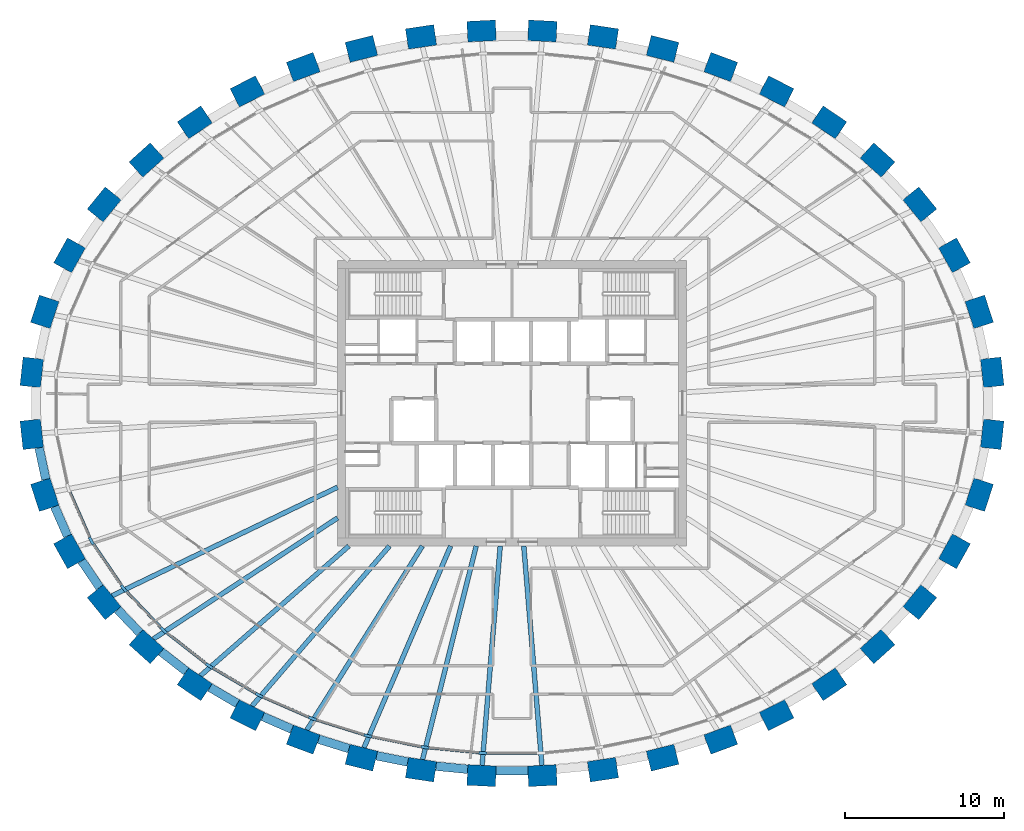
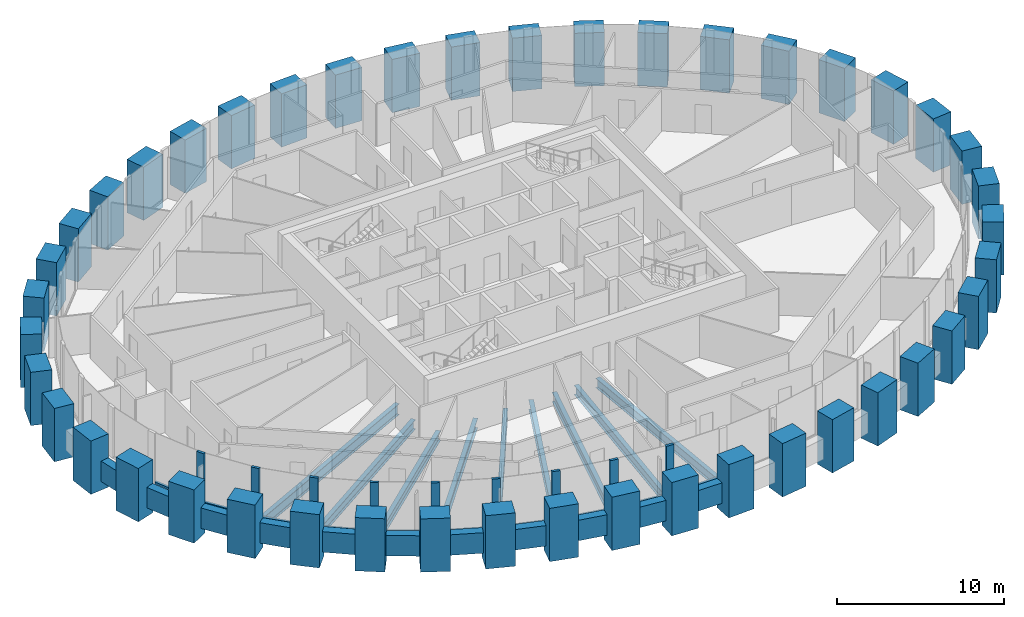
# One storey, part 1 of 12: 44 columns, 20 beams, 19 members, 1 element without a shape of its own.
"""IFC4 building model written with IfcOpenShell, lengths in metres."""

from ifc_helpers import new_model, si_unit, direction, frame, origin, origin_2d, place, context, subcontext, project, spatial, rectangle, i_section, extrude, source, transform, mapped, material, material_profile, profile_set, type_object, element, aggregate, save


model = new_model("IFC4")

# Units and contexts
model_context = context("Model", 3, precision=1e-05, world=origin(), true_north=direction((0.0, 1.0)))
body_context = subcontext(model_context, "Body", "Model", "MODEL_VIEW")
ifc_project = project(units=[si_unit("LENGTHUNIT", "METRE"), si_unit("AREAUNIT", "SQUARE_METRE"), si_unit("VOLUMEUNIT", "CUBIC_METRE"), si_unit("PLANEANGLEUNIT", "RADIAN"), si_unit("MASSUNIT", "GRAM", prefix="KILO")], contexts=[model_context])

# Site, building, storey
site_placement = place(None, origin())
site = spatial("IfcSite", under=ifc_project, at=site_placement, CompositionType="ELEMENT")
building_placement = place(site_placement, origin())
building = spatial("IfcBuilding", under=site, at=building_placement, Name="Embergate Tower", CompositionType="ELEMENT")
storey_placement = place(building_placement, frame((0.0, 0.0, 313.0)))
storey = spatial("IfcBuildingStorey", under=building, at=storey_placement, Name="L73", CompositionType="ELEMENT", Elevation=313.0)

# Columns
ifc_material_1 = material(Name="Concrete C50", Category="concrete")
ifc_material_profile_1 = material_profile(ifc_material_1, rectangle(XDim=1.300048828125, YDim=1.800048828125, at=origin_2d()), Name="RC 1300x1800")
ifc_profile_set_1 = profile_set([ifc_material_profile_1], Name="Concrete C50")
column_type = type_object("IfcColumnType", Name="Ring column RC 1300x1800 C50", PredefinedType="COLUMN", material=ifc_profile_set_1)
shared_shape_1 = source(origin(), body_context, "Body", "SweptSolid", [
    extrude(rectangle(XDim=1.300048828125, YDim=1.800048828125, at=origin_2d()), origin(), (0.0, 0.0, 1.0), 3.89990234375),
])
for number, where, z_axis, x_axis, name in (
    (1, (30.285888671875, 1.951904296875, -1.39990234375), (0.0, 0.0, 1.0), (0.99428589498, 0.106749983816, 0.0), "COL-L73-00"),
    (2, (29.466064453125, 5.76611328125, -1.39990234375), (0.0, 0.0, 1.0), (0.950754033697, 0.309946394413, 0.0), "COL-L73-01"),
    (3, (27.903076171875, 9.3310546875, -1.39990234375), (0.0, 0.0, 1.0), (0.873500465855, 0.486823311018, 0.0), "COL-L73-02"),
    (4, (25.719970703125, 12.541015625, -1.39990234375), (0.0, 0.0, 1.0), (0.775925311702, 0.630824786022, 0.0), "COL-L73-03"),
    (5, (23.050048828125, 15.342041015625, -1.39990234375), (0.0, 0.0, 1.0), (0.669221393633, 0.743063070206, 0.0), "COL-L73-04"),
    (6, (20.007080078125, 17.717041015625, -1.39990234375), (0.0, 0.0, 1.0), (0.560393279442, 0.828226643109, 0.0), "COL-L73-05"),
    (7, (16.68701171875, 19.6689453125, -1.39990234375), (0.0, 0.0, 1.0), (0.453010512651, 0.891505174089, 0.0), "COL-L73-06"),
    (8, (13.1640625, 21.208984375, -1.39990234375), (0.0, 0.0, 1.0), (0.348343015724, 0.93736713373, 0.0), "COL-L73-07"),
    (9, (9.4970703125, 22.35107421875, -1.39990234375), (0.0, 0.0, 1.0), (0.24650851817, 0.969140624713, 0.0), "COL-L73-08"),
    (10, (5.735107421875, 23.10595703125, -1.39990234375), (0.0, 0.0, 1.0), (0.146929011949, 0.989147039346, 0.0), "COL-L73-09"),
    (11, (1.9169921875, 23.48095703125, -1.39990234375), (0.0, 0.0, 1.0), (0.048814904854, 0.998807841912, 0.0), "COL-L73-10"),
    (12, (-1.9169921875, 23.48095703125, -1.39990234375), (0.0, 0.0, 1.0), (-0.048814904854, 0.998807841912, 0.0), "COL-L73-11"),
    (13, (-5.735107421875, 23.10595703125, -1.39990234375), (0.0, 0.0, 1.0), (-0.146929011949, 0.989147039346, 0.0), "COL-L73-12"),
    (14, (-9.4970703125, 22.35107421875, -1.39990234375), (0.0, 0.0, 1.0), (-0.24650851817, 0.969140624713, 0.0), "COL-L73-13"),
    (15, (-13.1640625, 21.208984375, -1.39990234375), (0.0, 0.0, 1.0), (-0.348343015724, 0.93736713373, 0.0), "COL-L73-14"),
    (16, (-16.68701171875, 19.6689453125, -1.39990234375), (0.0, 0.0, 1.0), (-0.453010512651, 0.891505174089, 0.0), "COL-L73-15"),
    (17, (-20.007080078125, 17.717041015625, -1.39990234375), (0.0, 0.0, 1.0), (-0.560393279442, 0.828226643109, 0.0), "COL-L73-16"),
    (18, (-23.050048828125, 15.342041015625, -1.39990234375), (0.0, 0.0, 1.0), (-0.669221393633, 0.743063070206, 0.0), "COL-L73-17"),
    (19, (-25.719970703125, 12.541015625, -1.39990234375), (0.0, 0.0, 1.0), (-0.775925311702, 0.630824786022, 0.0), "COL-L73-18"),
    (20, (-27.903076171875, 9.3310546875, -1.39990234375), (0.0, 0.0, 1.0), (-0.873500465855, 0.486823311018, 0.0), "COL-L73-19"),
    (21, (-29.466064453125, 5.76611328125, -1.39990234375), (0.0, 0.0, 1.0), (-0.950754033697, 0.309946394413, 0.0), "COL-L73-20"),
    (22, (-30.285888671875, 1.951904296875, -1.39990234375), (0.0, 0.0, 1.0), (-0.99428589498, 0.106749983816, 0.0), "COL-L73-21"),
    (23, (-30.285888671875, -1.951904296875, -1.39990234375), (0.0, 0.0, 1.0), (-0.99428589498, -0.106749983816, 0.0), "COL-L73-22"),
    (24, (-29.466064453125, -5.76611328125, -1.39990234375), (0.0, 0.0, 1.0), (-0.950754033697, -0.309946394413, 0.0), "COL-L73-23"),
    (25, (-27.903076171875, -9.3310546875, -1.39990234375), (0.0, 0.0, 1.0), (-0.873500465855, -0.486823311018, 0.0), "COL-L73-24"),
    (26, (-25.719970703125, -12.541015625, -1.39990234375), (0.0, 0.0, 1.0), (-0.775925311702, -0.630824786022, 0.0), "COL-L73-25"),
    (27, (-23.050048828125, -15.342041015625, -1.39990234375), (0.0, 0.0, 1.0), (-0.669221393633, -0.743063070206, 0.0), "COL-L73-26"),
    (28, (-20.007080078125, -17.717041015625, -1.39990234375), (0.0, 0.0, 1.0), (-0.560393279442, -0.828226643109, 0.0), "COL-L73-27"),
    (29, (-16.68701171875, -19.6689453125, -1.39990234375), (0.0, 0.0, 1.0), (-0.453010512651, -0.891505174089, 0.0), "COL-L73-28"),
    (30, (-13.1640625, -21.208984375, -1.39990234375), (0.0, 0.0, 1.0), (-0.348343015724, -0.93736713373, 0.0), "COL-L73-29"),
    (31, (-9.4970703125, -22.35107421875, -1.39990234375), (0.0, 0.0, 1.0), (-0.24650851817, -0.969140624713, 0.0), "COL-L73-30"),
    (32, (-5.735107421875, -23.10595703125, -1.39990234375), (0.0, 0.0, 1.0), (-0.146929011949, -0.989147039346, 0.0), "COL-L73-31"),
    (33, (-1.9169921875, -23.48095703125, -1.39990234375), (0.0, 0.0, 1.0), (-0.048814904854, -0.998807841912, 0.0), "COL-L73-32"),
    (34, (1.9169921875, -23.48095703125, -1.39990234375), (0.0, 0.0, 1.0), (0.048814904854, -0.998807841912, 0.0), "COL-L73-33"),
    (35, (5.735107421875, -23.10595703125, -1.39990234375), (0.0, 0.0, 1.0), (0.146929011949, -0.989147039346, 0.0), "COL-L73-34"),
    (36, (9.4970703125, -22.35107421875, -1.39990234375), (0.0, 0.0, 1.0), (0.24650851817, -0.969140624713, 0.0), "COL-L73-35"),
    (37, (13.1640625, -21.208984375, -1.39990234375), (0.0, 0.0, 1.0), (0.348343015724, -0.93736713373, 0.0), "COL-L73-36"),
    (38, (16.68701171875, -19.6689453125, -1.39990234375), (0.0, 0.0, 1.0), (0.453010512651, -0.891505174089, 0.0), "COL-L73-37"),
    (39, (20.007080078125, -17.717041015625, -1.39990234375), (0.0, 0.0, 1.0), (0.560393279442, -0.828226643109, 0.0), "COL-L73-38"),
    (40, (23.050048828125, -15.342041015625, -1.39990234375), (0.0, 0.0, 1.0), (0.669221393633, -0.743063070206, 0.0), "COL-L73-39"),
    (41, (25.719970703125, -12.541015625, -1.39990234375), (0.0, 0.0, 1.0), (0.775925311702, -0.630824786022, 0.0), "COL-L73-40"),
    (42, (27.903076171875, -9.3310546875, -1.39990234375), (0.0, 0.0, 1.0), (0.873500465855, -0.486823311018, 0.0), "COL-L73-41"),
    (43, (29.466064453125, -5.76611328125, -1.39990234375), (0.0, 0.0, 1.0), (0.950754033697, -0.309946394413, 0.0), "COL-L73-42"),
    (44, (30.285888671875, -1.951904296875, -1.39990234375), (0.0, 0.0, 1.0), (0.99428589498, -0.106749983816, 0.0), "COL-L73-43"),
):
    element("IfcColumn", number, at=place(storey_placement, frame(where, z_axis=z_axis, x_axis=x_axis)), inside=storey, type_object=column_type, Name=name, PredefinedType="COLUMN", context=body_context, shape_type="MappedRepresentation", body=[
        mapped(shared_shape_1, transform((0.0, 0.0, 0.0))),
    ])

# Beams
ifc_material_profile_2 = material_profile(ifc_material_1, rectangle(XDim=0.550048828125, YDim=1.5, at=origin_2d()), Name="RC 550x1500")
ifc_profile_set_2 = profile_set([ifc_material_profile_2], Name="Concrete C50")
beam_type_1 = type_object("IfcBeamType", Name="Spandrel beam RC 550x1500 C50", PredefinedType="BEAM", material=ifc_profile_set_2)
shared_shape_2 = source(origin(), body_context, "Body", "SweptSolid", [
    extrude(rectangle(XDim=0.550048828125, YDim=1.5, at=origin_2d()), origin(), (0.0, 0.0, 1.0), 2.034423828125),
])
beam_1_placement = place(storey_placement, frame((-29.823974609375, -2.80810546875, 0.0), z_axis=(0.209897885741, -0.977723313398, 0.0), x_axis=(0.977723313398, 0.209897885741, 0.0)))
element("IfcBeam", 45, at=beam_1_placement, inside=storey, type_object=beam_type_1, Name="SPN-L73-22", PredefinedType="BEAM", context=body_context, shape_type="MappedRepresentation", body=[
    mapped(shared_shape_2, transform((0.0, 0.0, 0.0))),
])
shared_shape_3 = source(origin(), body_context, "Body", "SweptSolid", [
    extrude(rectangle(XDim=0.550048828125, YDim=1.5, at=origin_2d()), origin(), (0.0, 0.0, 1.0), 2.03125),
])
beam_2_placement = place(storey_placement, frame((-28.843017578125, -6.510009765625, 0.0), z_axis=(0.401695096335, -0.915773470669, 0.0), x_axis=(0.915773470669, 0.401695096335, 0.0)))
element("IfcBeam", 46, at=beam_2_placement, inside=storey, type_object=beam_type_1, Name="SPN-L73-23", PredefinedType="BEAM", context=body_context, shape_type="MappedRepresentation", body=[
    mapped(shared_shape_3, transform((0.0, 0.0, 0.0))),
])
shared_shape_4 = source(origin(), body_context, "Body", "SweptSolid", [
    extrude(rectangle(XDim=0.550048828125, YDim=1.5, at=origin_2d()), origin(), (0.0, 0.0, 1.0), 2.02392578125),
])
beam_3_placement = place(storey_placement, frame((-27.137939453125, -9.93505859375, 0.0), z_axis=(0.562220937061, -0.826987072408, 0.0), x_axis=(0.826987072408, 0.562220937061, 0.0)))
element("IfcBeam", 47, at=beam_3_placement, inside=storey, type_object=beam_type_1, Name="SPN-L73-24", PredefinedType="BEAM", context=body_context, shape_type="MappedRepresentation", body=[
    mapped(shared_shape_4, transform((0.0, 0.0, 0.0))),
])
shared_shape_5 = source(origin(), body_context, "Body", "SweptSolid", [
    extrude(rectangle(XDim=0.550048828125, YDim=1.5, at=origin_2d()), origin(), (0.0, 0.0, 1.0), 2.0185546875),
])
beam_4_placement = place(storey_placement, frame((-24.868896484375, -13.009033203125, 0.0), z_axis=(0.690032605045, -0.723778283714, 0.0), x_axis=(0.723778283714, 0.690032605045, 0.0)))
element("IfcBeam", 48, at=beam_4_placement, inside=storey, type_object=beam_type_1, Name="SPN-L73-25", PredefinedType="BEAM", context=body_context, shape_type="MappedRepresentation", body=[
    mapped(shared_shape_5, transform((0.0, 0.0, 0.0))),
])
shared_shape_6 = source(origin(), body_context, "Body", "SweptSolid", [
    extrude(rectangle(XDim=0.550048828125, YDim=1.5, at=origin_2d()), origin(), (0.0, 0.0, 1.0), 2.011962890625),
])
beam_5_placement = place(storey_placement, frame((-22.1279296875, -15.6640625, 0.0), z_axis=(0.788259795351, -0.615342583471, 0.0), x_axis=(0.615342583471, 0.788259795351, 0.0)))
element("IfcBeam", 49, at=beam_5_placement, inside=storey, type_object=beam_type_1, Name="SPN-L73-26", PredefinedType="BEAM", context=body_context, shape_type="MappedRepresentation", body=[
    mapped(shared_shape_6, transform((0.0, 0.0, 0.0))),
])
shared_shape_7 = source(origin(), body_context, "Body", "SweptSolid", [
    extrude(rectangle(XDim=0.550048828125, YDim=1.5, at=origin_2d()), origin(), (0.0, 0.0, 1.0), 2.008056640625),
])
beam_6_placement = place(storey_placement, frame((-19.052978515625, -17.9140625, 0.0), z_axis=(0.86201859197, -0.506876658663, 0.0), x_axis=(0.506876658663, 0.86201859197, 0.0)))
element("IfcBeam", 50, at=beam_6_placement, inside=storey, type_object=beam_type_1, Name="SPN-L73-27", PredefinedType="BEAM", context=body_context, shape_type="MappedRepresentation", body=[
    mapped(shared_shape_7, transform((0.0, 0.0, 0.0))),
])
shared_shape_8 = source(origin(), body_context, "Body", "SweptSolid", [
    extrude(rectangle(XDim=0.550048828125, YDim=1.5, at=origin_2d()), origin(), (0.0, 0.0, 1.0), 2.0068359375),
])
beam_7_placement = place(storey_placement, frame((-15.718994140625, -19.75, 0.0), z_axis=(0.916455842534, -0.400135837793, 0.0), x_axis=(0.400135837793, 0.916455842534, 0.0)))
element("IfcBeam", 51, at=beam_7_placement, inside=storey, type_object=beam_type_1, Name="SPN-L73-28", PredefinedType="BEAM", context=body_context, shape_type="MappedRepresentation", body=[
    mapped(shared_shape_8, transform((0.0, 0.0, 0.0))),
])
shared_shape_9 = source(origin(), body_context, "Body", "SweptSolid", [
    extrude(rectangle(XDim=0.550048828125, YDim=1.5, at=origin_2d()), origin(), (0.0, 0.0, 1.0), 2.0048828125),
])
beam_8_placement = place(storey_placement, frame((-12.194091796875, -21.181884765625, 0.0), z_axis=(0.954756929567, -0.297387298725, 0.0), x_axis=(0.297387298725, 0.954756929567, 0.0)))
element("IfcBeam", 52, at=beam_8_placement, inside=storey, type_object=beam_type_1, Name="SPN-L73-29", PredefinedType="BEAM", context=body_context, shape_type="MappedRepresentation", body=[
    mapped(shared_shape_9, transform((0.0, 0.0, 0.0))),
])
shared_shape_10 = source(origin(), body_context, "Body", "SweptSolid", [
    extrude(rectangle(XDim=0.550048828125, YDim=1.5, at=origin_2d()), origin(), (0.0, 0.0, 1.0), 2.003173828125),
])
beam_9_placement = place(storey_placement, frame((-8.535888671875, -22.222900390625, 0.0), z_axis=(0.980364457571, -0.197194143753, 0.0), x_axis=(0.197194143753, 0.980364457571, 0.0)))
element("IfcBeam", 53, at=beam_9_placement, inside=storey, type_object=beam_type_1, Name="SPN-L73-30", PredefinedType="BEAM", context=body_context, shape_type="MappedRepresentation", body=[
    mapped(shared_shape_10, transform((0.0, 0.0, 0.0))),
])
shared_shape_11 = source(origin(), body_context, "Body", "SweptSolid", [
    extrude(rectangle(XDim=0.550048828125, YDim=1.5, at=origin_2d()), origin(), (0.0, 0.0, 1.0), 2.00341796875),
])
beam_10_placement = place(storey_placement, frame((-4.7919921875, -22.883056640625, 0.0), z_axis=(0.995201107697, -0.097850678276, 0.0), x_axis=(0.097850678276, 0.995201107697, 0.0)))
element("IfcBeam", 54, at=beam_10_placement, inside=storey, type_object=beam_type_1, Name="SPN-L73-31", PredefinedType="BEAM", context=body_context, shape_type="MappedRepresentation", body=[
    mapped(shared_shape_11, transform((0.0, 0.0, 0.0))),
])
shared_shape_12 = source(origin(), body_context, "Body", "SweptSolid", [
    extrude(rectangle(XDim=0.550048828125, YDim=1.5, at=origin_2d()), origin(), (0.0, 0.0, 1.0), 2.001953125),
])
beam_11_placement = place(storey_placement, frame((-1.0009765625, -23.1669921875, 0.0), z_axis=(1.0, 0.0, 0.0), x_axis=(0.0, 1.0, 0.0)))
element("IfcBeam", 55, at=beam_11_placement, inside=storey, type_object=beam_type_1, Name="SPN-L73-32", PredefinedType="BEAM", context=body_context, shape_type="MappedRepresentation", body=[
    mapped(shared_shape_12, transform((0.0, 0.0, 0.0))),
])
ifc_material_2 = material(Name="Steel Q355B", Category="steel")
ifc_material_profile_3 = material_profile(ifc_material_2, i_section(OverallWidth=0.300048828125, OverallDepth=0.800048828125, WebThickness=0.013916015625, FlangeThickness=0.02587890625, FilletRadius=0.028076171875, at=origin_2d()), Name="HN 800x300x14x26")
ifc_profile_set_3 = profile_set([ifc_material_profile_3], Name="Steel Q355 grade B")
beam_type_2 = type_object("IfcBeamType", Name="Radial girder HN 800x300x14x26", PredefinedType="BEAM", material=ifc_profile_set_3)
shared_shape_13 = source(origin(), body_context, "Body", "SweptSolid", [
    extrude(i_section(OverallWidth=0.300048828125, OverallDepth=0.800048828125, WebThickness=0.013916015625, FlangeThickness=0.02587890625, FilletRadius=0.028076171875, at=origin_2d()), origin(), (0.0, 0.0, 1.0), 15.775634765625),
])
beam_12_placement = place(storey_placement, frame((-25.216064453125, -12.131103515625, -0.60009765625), z_axis=(0.901141870193, 0.433524312795, 0.0), x_axis=(-0.433524312795, 0.901141870193, 0.0)))
element("IfcBeam", 56, at=beam_12_placement, inside=storey, type_object=beam_type_2, Name="GIR-L73-25", PredefinedType="BEAM", context=body_context, shape_type="MappedRepresentation", body=[
    mapped(shared_shape_13, transform((0.0, 0.0, 0.0))),
])
ifc_material_profile_4 = material_profile(ifc_material_2, i_section(OverallWidth=0.300048828125, OverallDepth=0.699951171875, WebThickness=0.012939453125, FlangeThickness=0.02392578125, FilletRadius=0.01806640625, at=origin_2d()), Name="HN 700x300x13x24")
ifc_profile_set_4 = profile_set([ifc_material_profile_4], Name="Steel Q355 grade B")
beam_type_3 = type_object("IfcBeamType", Name="Radial girder HN 700x300x13x24", PredefinedType="BEAM", material=ifc_profile_set_4)
shared_shape_14 = source(origin(), body_context, "Body", "SweptSolid", [
    extrude(i_section(OverallWidth=0.300048828125, OverallDepth=0.699951171875, WebThickness=0.012939453125, FlangeThickness=0.02392578125, FilletRadius=0.01806640625, at=origin_2d()), origin(), (0.0, 0.0, 1.0), 13.89794921875),
])
beam_13_placement = place(storey_placement, frame((-22.614990234375, -14.85888671875, -0.550048828125), z_axis=(0.835734272266, 0.549134069386, 0.0), x_axis=(-0.549134069386, 0.835734272266, 0.0)))
element("IfcBeam", 57, at=beam_13_placement, inside=storey, type_object=beam_type_3, Name="GIR-L73-26", PredefinedType="BEAM", context=body_context, shape_type="MappedRepresentation", body=[
    mapped(shared_shape_14, transform((0.0, 0.0, 0.0))),
])
shared_shape_15 = source(origin(), body_context, "Body", "SweptSolid", [
    extrude(i_section(OverallWidth=0.300048828125, OverallDepth=0.699951171875, WebThickness=0.012939453125, FlangeThickness=0.02392578125, FilletRadius=0.01806640625, at=origin_2d()), origin(), (0.0, 0.0, 1.0), 12.424072265625),
])
beam_14_placement = place(storey_placement, frame((-19.64306640625, -17.178955078125, -0.550048828125), z_axis=(0.752739789834, 0.658318166847, 0.0), x_axis=(-0.658318166847, 0.752739789834, 0.0)))
element("IfcBeam", 58, at=beam_14_placement, inside=storey, type_object=beam_type_3, Name="GIR-L73-27", PredefinedType="BEAM", context=body_context, shape_type="MappedRepresentation", body=[
    mapped(shared_shape_15, transform((0.0, 0.0, 0.0))),
])
shared_shape_16 = source(origin(), body_context, "Body", "SweptSolid", [
    extrude(i_section(OverallWidth=0.300048828125, OverallDepth=0.699951171875, WebThickness=0.012939453125, FlangeThickness=0.02392578125, FilletRadius=0.01806640625, at=origin_2d()), origin(), (0.0, 0.0, 1.0), 13.300048828125),
])
beam_15_placement = place(storey_placement, frame((-16.39306640625, -19.090087890625, -0.550048828125), z_axis=(0.651501585067, 0.758647272885, 0.0), x_axis=(-0.758647272885, 0.651501585067, 0.0)))
element("IfcBeam", 59, at=beam_15_placement, inside=storey, type_object=beam_type_3, Name="GIR-L73-28", PredefinedType="BEAM", context=body_context, shape_type="MappedRepresentation", body=[
    mapped(shared_shape_16, transform((0.0, 0.0, 0.0))),
])
shared_shape_17 = source(origin(), body_context, "Body", "SweptSolid", [
    extrude(i_section(OverallWidth=0.300048828125, OverallDepth=0.699951171875, WebThickness=0.012939453125, FlangeThickness=0.02392578125, FilletRadius=0.01806640625, at=origin_2d()), origin(), (0.0, 0.0, 1.0), 13.698486328125),
])
beam_16_placement = place(storey_placement, frame((-12.93798828125, -20.60009765625, -0.550048828125), z_axis=(0.5318784163, 0.846820730895, 0.0), x_axis=(-0.846820730895, 0.5318784163, 0.0)))
element("IfcBeam", 60, at=beam_16_placement, inside=storey, type_object=beam_type_3, Name="GIR-L73-29", PredefinedType="BEAM", context=body_context, shape_type="MappedRepresentation", body=[
    mapped(shared_shape_17, transform((0.0, 0.0, 0.0))),
])
shared_shape_18 = source(origin(), body_context, "Body", "SweptSolid", [
    extrude(i_section(OverallWidth=0.300048828125, OverallDepth=0.699951171875, WebThickness=0.012939453125, FlangeThickness=0.02392578125, FilletRadius=0.01806640625, at=origin_2d()), origin(), (0.0, 0.0, 1.0), 13.846435546875),
])
beam_17_placement = place(storey_placement, frame((-9.3369140625, -21.720947265625, -0.550048828125), z_axis=(0.394906469697, 0.918721328909, 0.0), x_axis=(-0.918721328909, 0.394906469697, 0.0)))
element("IfcBeam", 61, at=beam_17_placement, inside=storey, type_object=beam_type_3, Name="GIR-L73-30", PredefinedType="BEAM", context=body_context, shape_type="MappedRepresentation", body=[
    mapped(shared_shape_18, transform((0.0, 0.0, 0.0))),
])
shared_shape_19 = source(origin(), body_context, "Body", "SweptSolid", [
    extrude(i_section(OverallWidth=0.300048828125, OverallDepth=0.699951171875, WebThickness=0.012939453125, FlangeThickness=0.02392578125, FilletRadius=0.01806640625, at=origin_2d()), origin(), (0.0, 0.0, 1.0), 13.88037109375),
])
beam_18_placement = place(storey_placement, frame((-5.638916015625, -22.462890625, -0.550048828125), z_axis=(0.243429448645, 0.969918606653, 0.0), x_axis=(-0.969918606653, 0.243429448645, 0.0)))
element("IfcBeam", 62, at=beam_18_placement, inside=storey, type_object=beam_type_3, Name="GIR-L73-31", PredefinedType="BEAM", context=body_context, shape_type="MappedRepresentation", body=[
    mapped(shared_shape_19, transform((0.0, 0.0, 0.0))),
])
shared_shape_20 = source(origin(), body_context, "Body", "SweptSolid", [
    extrude(i_section(OverallWidth=0.300048828125, OverallDepth=0.699951171875, WebThickness=0.012939453125, FlangeThickness=0.02392578125, FilletRadius=0.01806640625, at=origin_2d()), origin(), (0.0, 0.0, 1.0), 13.879150390625),
])
for number, where, z_axis, x_axis, name in (
    (63, (-1.885009765625, -22.83203125, -0.550048828125), (0.082288456924, 0.996608553975, 0.0), (-0.996608553975, 0.082288456924, 0.0), "GIR-L73-32"),
    (64, (1.885009765625, -22.83203125, -0.550048828125), (-0.082288456924, 0.996608553975, 0.0), (-0.996608553975, -0.082288456924, 0.0), "GIR-L73-33"),
):
    element("IfcBeam", number, at=place(storey_placement, frame(where, z_axis=z_axis, x_axis=x_axis)), inside=storey, type_object=beam_type_3, Name=name, PredefinedType="BEAM", context=body_context, shape_type="MappedRepresentation", body=[
        mapped(shared_shape_20, transform((0.0, 0.0, 0.0))),
    ])

# Curtain wall, members
ifc_material_3 = material(Name="Aluminium and glass", Category="aluminium")
curtain_wall_type = type_object("IfcCurtainWallType", Name="Recessed office glazing", PredefinedType="NOTDEFINED", material=ifc_material_3)
curtain_wall_placement = place(storey_placement, origin())
curtain_wall = element("IfcCurtainWall", 65, at=curtain_wall_placement, inside=storey, type_object=curtain_wall_type, Name="Recessed office glazing ring", ObjectType="RECESSED OFFICE GLAZING", PredefinedType="USERDEFINED")
ifc_material_4 = material(Name="Aluminium, thermally broken", Category="aluminium")
ifc_material_profile_5 = material_profile(ifc_material_4, rectangle(XDim=0.179931640625, YDim=0.52001953125, at=origin_2d()), Name="AL 520x180")
ifc_profile_set_5 = profile_set([ifc_material_profile_5], Name="Aluminium, thermally broken")
member_type_1 = type_object("IfcMemberType", Name="Office mullion", PredefinedType="MULLION", material=ifc_profile_set_5)
shared_shape_21 = source(origin(), body_context, "Body", "SweptSolid", [
    extrude(rectangle(XDim=0.179931640625, YDim=0.52001953125, at=origin_2d()), origin(), (0.0, 0.0, 1.0), 3.699951171875),
])
member_1_placement = place(storey_placement, frame((-26.53173828125, -8.67236328125, 0.0), z_axis=(0.0, 0.0, 1.0), x_axis=(0.874991756265, 0.484137817639, 0.0)))
member_1 = element("IfcMember", 66, at=member_1_placement, type_object=member_type_1, Name="CW mullion 25", PredefinedType="MULLION", context=body_context, shape_type="MappedRepresentation", body=[
    mapped(shared_shape_21, transform((0.0, 0.0, 0.0))),
])
member_2_placement = place(storey_placement, frame((-24.48681640625, -11.6796875, 0.0), z_axis=(0.0, 0.0, 1.0), x_axis=(0.777861596203, 0.628435626897, 0.0)))
member_2 = element("IfcMember", 67, at=member_2_placement, type_object=member_type_1, Name="CW mullion 26", PredefinedType="MULLION", context=body_context, shape_type="MappedRepresentation", body=[
    mapped(shared_shape_21, transform((0.0, 0.0, 0.0))),
])
member_3_placement = place(storey_placement, frame((-21.97119140625, -14.3173828125, 0.0), z_axis=(0.0, 0.0, 1.0), x_axis=(0.671217477801, 0.741260478843, 0.0)))
member_3 = element("IfcMember", 68, at=member_3_placement, type_object=member_type_1, Name="CW mullion 27", PredefinedType="MULLION", context=body_context, shape_type="MappedRepresentation", body=[
    mapped(shared_shape_21, transform((0.0, 0.0, 0.0))),
])
member_4_placement = place(storey_placement, frame((-19.092041015625, -16.564697265625, 0.0), z_axis=(0.0, 0.0, 1.0), x_axis=(0.562210401679, 0.82699423471, 0.0)))
member_4 = element("IfcMember", 69, at=member_4_placement, type_object=member_type_1, Name="CW mullion 28", PredefinedType="MULLION", context=body_context, shape_type="MappedRepresentation", body=[
    mapped(shared_shape_21, transform((0.0, 0.0, 0.0))),
])
member_5_placement = place(storey_placement, frame((-15.9384765625, -18.418701171875, 0.0), z_axis=(0.0, 0.0, 1.0), x_axis=(0.454506716612, 0.890743310138, 0.0)))
member_5 = element("IfcMember", 70, at=member_5_placement, type_object=member_type_1, Name="CW mullion 29", PredefinedType="MULLION", context=body_context, shape_type="MappedRepresentation", body=[
    mapped(shared_shape_21, transform((0.0, 0.0, 0.0))),
])
member_6_placement = place(storey_placement, frame((-12.582763671875, -19.885986328125, 0.0), z_axis=(0.0, 0.0, 1.0), x_axis=(0.349501047589, 0.936935973124, 0.0)))
member_6 = element("IfcMember", 71, at=member_6_placement, type_object=member_type_1, Name="CW mullion 30", PredefinedType="MULLION", context=body_context, shape_type="MappedRepresentation", body=[
    mapped(shared_shape_21, transform((0.0, 0.0, 0.0))),
])
member_7_placement = place(storey_placement, frame((-9.082763671875, -20.97607421875, 0.0), z_axis=(0.0, 0.0, 1.0), x_axis=(0.247310190257, 0.968936360034, 0.0)))
member_7 = element("IfcMember", 72, at=member_7_placement, type_object=member_type_1, Name="CW mullion 31", PredefinedType="MULLION", context=body_context, shape_type="MappedRepresentation", body=[
    mapped(shared_shape_21, transform((0.0, 0.0, 0.0))),
])
member_8_placement = place(storey_placement, frame((-5.486328125, -21.697265625, 0.0), z_axis=(0.0, 0.0, 1.0), x_axis=(0.147410656556, 0.989075375456, 0.0)))
member_8 = element("IfcMember", 73, at=member_8_placement, type_object=member_type_1, Name="CW mullion 32", PredefinedType="MULLION", context=body_context, shape_type="MappedRepresentation", body=[
    mapped(shared_shape_21, transform((0.0, 0.0, 0.0))),
])
member_9_placement = place(storey_placement, frame((-1.834716796875, -22.05615234375, 0.0), z_axis=(0.0, 0.0, 1.0), x_axis=(0.048971796621, 0.998800161762, 0.0)))
member_9 = element("IfcMember", 74, at=member_9_placement, type_object=member_type_1, Name="CW mullion 33", PredefinedType="MULLION", context=body_context, shape_type="MappedRepresentation", body=[
    mapped(shared_shape_21, transform((0.0, 0.0, 0.0))),
])
ifc_material_profile_6 = material_profile(ifc_material_4, rectangle(XDim=0.179931640625, YDim=0.14990234375, at=origin_2d()), Name="AL 150x180")
ifc_profile_set_6 = profile_set([ifc_material_profile_6], Name="Aluminium, thermally broken")
member_type_2 = type_object("IfcMemberType", Name="Office sill transom", PredefinedType="USERDEFINED", material=ifc_profile_set_6)
shared_shape_22 = source(origin(), body_context, "Body", "SweptSolid", [
    extrude(rectangle(XDim=0.179931640625, YDim=0.14990234375, at=origin_2d()), origin(), (0.0, 0.0, 1.0), 3.108154296875),
])
member_10_placement = place(storey_placement, frame((-27.884765625, -5.587890625, 0.074951171875), z_axis=(0.401688075914, -0.915776550075, 0.0), x_axis=(0.915776550075, 0.401688075914, 0.0)))
member_10 = element("IfcMember", 75, at=member_10_placement, type_object=member_type_2, Name="CW transom 24.1", ObjectType="TRANSOM", PredefinedType="USERDEFINED", context=body_context, shape_type="MappedRepresentation", body=[
    mapped(shared_shape_22, transform((0.0, 0.0, 0.0))),
])
shared_shape_23 = source(origin(), body_context, "Body", "SweptSolid", [
    extrude(rectangle(XDim=0.179931640625, YDim=0.14990234375, at=origin_2d()), origin(), (0.0, 0.0, 1.0), 3.116455078125),
])
member_11_placement = place(storey_placement, frame((-26.385498046875, -8.887451171875, 0.074951171875), z_axis=(0.562305735985, -0.826929416141, 0.0), x_axis=(0.826929416141, 0.562305735985, 0.0)))
member_11 = element("IfcMember", 76, at=member_11_placement, type_object=member_type_2, Name="CW transom 25.1", ObjectType="TRANSOM", PredefinedType="USERDEFINED", context=body_context, shape_type="MappedRepresentation", body=[
    mapped(shared_shape_23, transform((0.0, 0.0, 0.0))),
])
shared_shape_24 = source(origin(), body_context, "Body", "SweptSolid", [
    extrude(rectangle(XDim=0.179931640625, YDim=0.14990234375, at=origin_2d()), origin(), (0.0, 0.0, 1.0), 3.125244140625),
])
member_12_placement = place(storey_placement, frame((-24.307373046875, -11.86767578125, 0.074951171875), z_axis=(0.69011149361, -0.723703065067, 0.0), x_axis=(0.723703065067, 0.69011149361, 0.0)))
member_12 = element("IfcMember", 77, at=member_12_placement, type_object=member_type_2, Name="CW transom 26.1", ObjectType="TRANSOM", PredefinedType="USERDEFINED", context=body_context, shape_type="MappedRepresentation", body=[
    mapped(shared_shape_24, transform((0.0, 0.0, 0.0))),
])
shared_shape_25 = source(origin(), body_context, "Body", "SweptSolid", [
    extrude(rectangle(XDim=0.179931640625, YDim=0.14990234375, at=origin_2d()), origin(), (0.0, 0.0, 1.0), 3.132080078125),
])
member_13_placement = place(storey_placement, frame((-21.76611328125, -14.477294921875, 0.074951171875), z_axis=(0.788280741955, -0.615315749727, 0.0), x_axis=(0.615315749727, 0.788280741955, 0.0)))
member_13 = element("IfcMember", 78, at=member_13_placement, type_object=member_type_2, Name="CW transom 27.1", ObjectType="TRANSOM", PredefinedType="USERDEFINED", context=body_context, shape_type="MappedRepresentation", body=[
    mapped(shared_shape_25, transform((0.0, 0.0, 0.0))),
])
shared_shape_26 = source(origin(), body_context, "Body", "SweptSolid", [
    extrude(rectangle(XDim=0.179931640625, YDim=0.14990234375, at=origin_2d()), origin(), (0.0, 0.0, 1.0), 3.13818359375),
])
member_14_placement = place(storey_placement, frame((-18.867919921875, -16.6962890625, 0.074951171875), z_axis=(0.862044187524, -0.506833127129, 0.0), x_axis=(0.506833127129, 0.862044187524, 0.0)))
member_14 = element("IfcMember", 79, at=member_14_placement, type_object=member_type_2, Name="CW transom 28.1", ObjectType="TRANSOM", PredefinedType="USERDEFINED", context=body_context, shape_type="MappedRepresentation", body=[
    mapped(shared_shape_26, transform((0.0, 0.0, 0.0))),
])
shared_shape_27 = source(origin(), body_context, "Body", "SweptSolid", [
    extrude(rectangle(XDim=0.179931640625, YDim=0.14990234375, at=origin_2d()), origin(), (0.0, 0.0, 1.0), 3.142578125),
])
member_15_placement = place(storey_placement, frame((-15.7001953125, -18.522705078125, 0.074951171875), z_axis=(0.916239332715, -0.400631358217, 0.0), x_axis=(0.400631358217, 0.916239332715, 0.0)))
member_15 = element("IfcMember", 80, at=member_15_placement, type_object=member_type_2, Name="CW transom 29.1", ObjectType="TRANSOM", PredefinedType="USERDEFINED", context=body_context, shape_type="MappedRepresentation", body=[
    mapped(shared_shape_27, transform((0.0, 0.0, 0.0))),
])
shared_shape_28 = source(origin(), body_context, "Body", "SweptSolid", [
    extrude(rectangle(XDim=0.179931640625, YDim=0.14990234375, at=origin_2d()), origin(), (0.0, 0.0, 1.0), 3.145751953125),
])
member_16_placement = place(storey_placement, frame((-12.33447265625, -19.96337890625, 0.074951171875), z_axis=(0.954775040365, -0.297329148077, 0.0), x_axis=(0.297329148077, 0.954775040365, 0.0)))
member_16 = element("IfcMember", 81, at=member_16_placement, type_object=member_type_2, Name="CW transom 30.1", ObjectType="TRANSOM", PredefinedType="USERDEFINED", context=body_context, shape_type="MappedRepresentation", body=[
    mapped(shared_shape_28, transform((0.0, 0.0, 0.0))),
])
shared_shape_29 = source(origin(), body_context, "Body", "SweptSolid", [
    extrude(rectangle(XDim=0.179931640625, YDim=0.14990234375, at=origin_2d()), origin(), (0.0, 0.0, 1.0), 3.148193359375),
])
member_17_placement = place(storey_placement, frame((-8.827880859375, -21.027099609375, 0.074951171875), z_axis=(0.980485111411, -0.19659335264, 0.0), x_axis=(0.19659335264, 0.980485111411, 0.0)))
member_17 = element("IfcMember", 82, at=member_17_placement, type_object=member_type_2, Name="CW transom 31.1", ObjectType="TRANSOM", PredefinedType="USERDEFINED", context=body_context, shape_type="MappedRepresentation", body=[
    mapped(shared_shape_29, transform((0.0, 0.0, 0.0))),
])
shared_shape_30 = source(origin(), body_context, "Body", "SweptSolid", [
    extrude(rectangle(XDim=0.179931640625, YDim=0.14990234375, at=origin_2d()), origin(), (0.0, 0.0, 1.0), 3.149169921875),
])
member_18_placement = place(storey_placement, frame((-5.2275390625, -21.72265625, 0.074951171875), z_axis=(0.995202362026, -0.097837920143, 0.0), x_axis=(0.097837920143, 0.995202362026, 0.0)))
member_18 = element("IfcMember", 83, at=member_18_placement, type_object=member_type_2, Name="CW transom 32.1", ObjectType="TRANSOM", PredefinedType="USERDEFINED", context=body_context, shape_type="MappedRepresentation", body=[
    mapped(shared_shape_30, transform((0.0, 0.0, 0.0))),
])
shared_shape_31 = source(origin(), body_context, "Body", "SweptSolid", [
    extrude(rectangle(XDim=0.179931640625, YDim=0.14990234375, at=origin_2d()), origin(), (0.0, 0.0, 1.0), 3.1494140625),
])
member_19_placement = place(storey_placement, frame((-1.57470703125, -22.05615234375, 0.074951171875), z_axis=(1.0, 0.0, 0.0), x_axis=(0.0, 1.0, 0.0)))
member_19 = element("IfcMember", 84, at=member_19_placement, type_object=member_type_2, Name="CW transom 33.1", ObjectType="TRANSOM", PredefinedType="USERDEFINED", context=body_context, shape_type="MappedRepresentation", body=[
    mapped(shared_shape_31, transform((0.0, 0.0, 0.0))),
])
aggregate(curtain_wall, [member_1, member_2, member_3, member_4, member_5, member_6, member_7, member_8, member_9, member_10, member_11, member_12, member_13, member_14, member_15, member_16, member_17, member_18, member_19])

save(model, "model.ifc")
